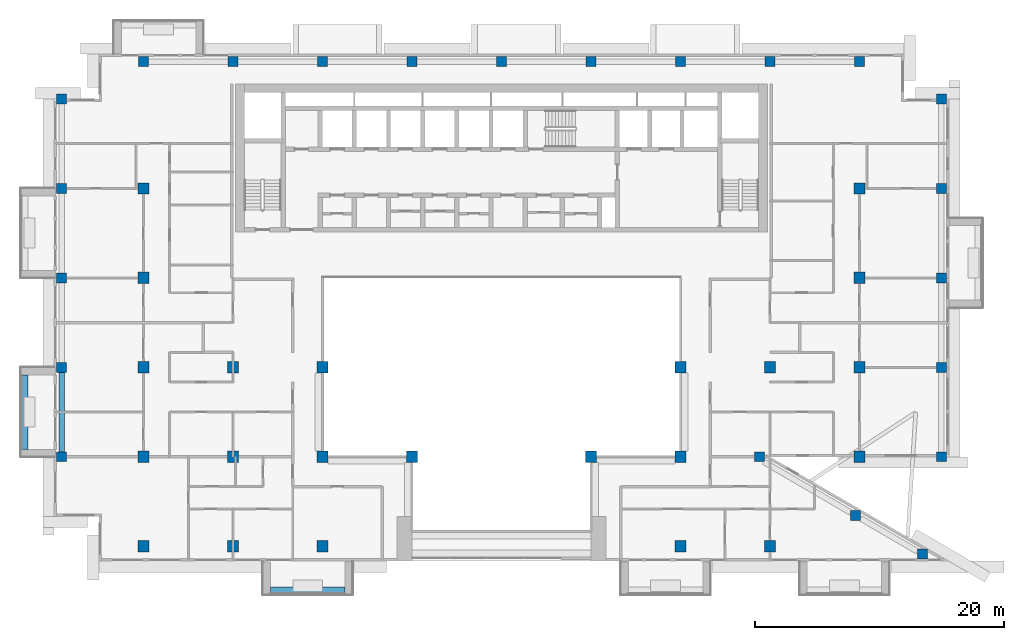
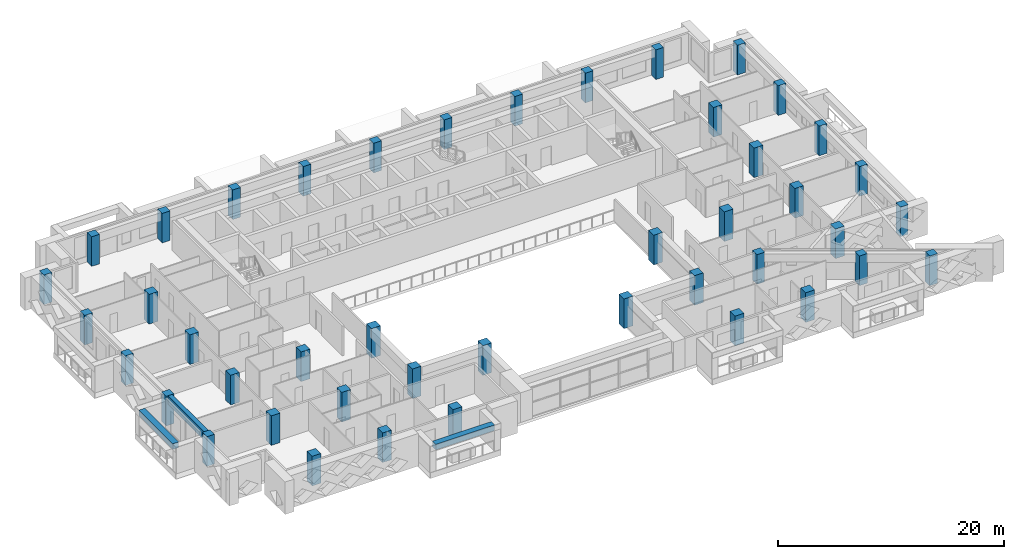
# One storey, part 1 of 20: 44 columns, 3 beams.
"""IFC4 building model written with IfcOpenShell, lengths in metres."""

from ifc_helpers import new_model, si_unit, direction, frame, origin, origin_2d, place, context, subcontext, project, spatial, rectangle, extrude, source, transform, mapped, material, material_profile, profile_set, type_object, element, save


model = new_model("IFC4")

# Units and contexts
model_context = context("Model", 3, precision=1e-05, world=origin(), true_north=direction((0.0, 1.0)))
body_context = subcontext(model_context, "Body", "Model", "MODEL_VIEW")
ifc_project = project(units=[si_unit("LENGTHUNIT", "METRE"), si_unit("AREAUNIT", "SQUARE_METRE"), si_unit("VOLUMEUNIT", "CUBIC_METRE"), si_unit("PLANEANGLEUNIT", "RADIAN"), si_unit("MASSUNIT", "GRAM", prefix="KILO")], contexts=[model_context])

# Site, building, storey
site_placement = place(None, origin())
site = spatial("IfcSite", under=ifc_project, at=site_placement, CompositionType="ELEMENT")
building_placement = place(site_placement, origin())
building = spatial("IfcBuilding", under=site, at=building_placement, Name="Saffron Iwan Residences", CompositionType="ELEMENT")
storey_placement = place(building_placement, frame((0.0, 0.0, 174.5)))
storey = spatial("IfcBuildingStorey", under=building, at=storey_placement, Name="L46", CompositionType="ELEMENT", Elevation=174.5)

# Columns
ifc_material_1 = material(Name="Concrete C50/60", Category="concrete")
ifc_material_profile_1 = material_profile(ifc_material_1, rectangle(XDim=0.89990234375, YDim=0.89990234375, at=origin_2d()), Name="RC 900x900")
ifc_profile_set_1 = profile_set([ifc_material_profile_1], Name="Concrete C50/60")
column_type_1 = type_object("IfcColumnType", Name="COL RC 900x900 C50/60 3200 HIGH", PredefinedType="COLUMN", material=ifc_profile_set_1)
shared_shape_1 = source(origin(), body_context, "Body", "SweptSolid", [
    extrude(rectangle(XDim=0.89990234375, YDim=0.89990234375, at=origin_2d()), origin(), (0.0, 0.0, 1.0), 3.199951171875),
])
for number, where, z_axis, x_axis, name in (
    (1, (21.60009765625, 40.800048828125, 0.0), (0.0, 0.0, 1.0), (1.0, 0.0, 0.0), "Column C049"),
    (2, (28.800048828125, 40.800048828125, 0.0), (0.0, 0.0, 1.0), (1.0, 0.0, 0.0), "Column C051"),
    (3, (36.0, 40.800048828125, 0.0), (0.0, 0.0, 1.0), (1.0, 0.0, 0.0), "Column C052"),
    (4, (64.800048828125, 40.800048828125, 0.0), (0.0, 0.0, 1.0), (1.0, 0.0, 0.0), "Column C055"),
    (5, (72.0, 40.800048828125, 0.0), (0.0, 0.0, 1.0), (1.0, 0.0, 0.0), "Column C056"),
    (6, (21.60009765625, 48.0, 0.0), (0.0, 0.0, 1.0), (1.0, 0.0, 0.0), "Column C063"),
    (7, (28.800048828125, 48.0, 0.0), (0.0, 0.0, 1.0), (1.0, 0.0, 0.0), "Column C064"),
    (8, (36.0, 48.0, 0.0), (0.0, 0.0, 1.0), (1.0, 0.0, 0.0), "Column C065"),
    (9, (43.199951171875, 48.0, 0.0), (0.0, 0.0, 1.0), (1.0, 0.0, 0.0), "Column C066"),
    (10, (57.60009765625, 48.0, 0.0), (0.0, 0.0, 1.0), (1.0, 0.0, 0.0), "Column C068"),
    (11, (64.800048828125, 48.0, 0.0), (0.0, 0.0, 1.0), (1.0, 0.0, 0.0), "Column C069"),
    (12, (79.199951171875, 48.0, 0.0), (0.0, 0.0, 1.0), (1.0, 0.0, 0.0), "Column C072"),
    (13, (21.60009765625, 55.199951171875, 0.0), (0.0, 0.0, 1.0), (1.0, 0.0, 0.0), "Column C079"),
    (14, (28.800048828125, 55.199951171875, 0.0), (0.0, 0.0, 1.0), (1.0, 0.0, 0.0), "Column C080"),
    (15, (36.0, 55.199951171875, 0.0), (0.0, 0.0, 1.0), (1.0, 0.0, 0.0), "Column C081"),
    (16, (64.800048828125, 55.199951171875, 0.0), (0.0, 0.0, 1.0), (1.0, 0.0, 0.0), "Column C082"),
    (17, (72.0, 55.199951171875, 0.0), (0.0, 0.0, 1.0), (1.0, 0.0, 0.0), "Column C083"),
    (18, (79.199951171875, 55.199951171875, 0.0), (0.0, 0.0, 1.0), (1.0, 0.0, 0.0), "Column C084"),
    (19, (21.60009765625, 62.39990234375, 0.0), (0.0, 0.0, 1.0), (1.0, 0.0, 0.0), "Column C091"),
    (20, (79.199951171875, 62.39990234375, 0.0), (0.0, 0.0, 1.0), (1.0, 0.0, 0.0), "Column C092"),
    (21, (21.60009765625, 69.60009765625, 0.0), (0.0, 0.0, 1.0), (1.0, 0.0, 0.0), "Column C099"),
    (22, (79.199951171875, 69.60009765625, 0.0), (0.0, 0.0, 1.0), (1.0, 0.0, 0.0), "Column C100"),
):
    element("IfcColumn", number, at=place(storey_placement, frame(where, z_axis=z_axis, x_axis=x_axis)), inside=storey, type_object=column_type_1, Name=name, PredefinedType="COLUMN", context=body_context, shape_type="MappedRepresentation", body=[
        mapped(shared_shape_1, transform((0.0, 0.0, 0.0))),
    ])
ifc_material_profile_2 = material_profile(ifc_material_1, rectangle(XDim=0.800048828125, YDim=0.800048828125, at=origin_2d()), Name="RC 800x800")
ifc_profile_set_2 = profile_set([ifc_material_profile_2], Name="Concrete C50/60")
column_type_2 = type_object("IfcColumnType", Name="COL RC 800x800 C50/60 3200 HIGH", PredefinedType="COLUMN", material=ifc_profile_set_2)
shared_shape_2 = source(origin(), body_context, "Body", "SweptSolid", [
    extrude(rectangle(XDim=0.800048828125, YDim=0.800048828125, at=origin_2d()), origin(), (0.0, 0.0, 1.0), 3.199951171875),
])
for number, where, z_axis, x_axis, name in (
    (23, (84.276123046875, 40.17431640625, 0.0), (0.0, 0.0, 1.0), (1.0, 0.0, 0.0), "Column C045"),
    (24, (78.897705078125, 43.28173828125, 0.0), (0.0, 0.0, 1.0), (1.0, 0.0, 0.0), "Column C058"),
    (25, (15.0, 48.0, 0.0), (0.0, 0.0, 1.0), (1.0, 0.0, 0.0), "Column C061"),
    (26, (71.14990234375, 48.0, 0.0), (0.0, 0.0, 1.0), (1.0, 0.0, 0.0), "Column C070"),
    (27, (85.800048828125, 48.0, 0.0), (0.0, 0.0, 1.0), (1.0, 0.0, 0.0), "Column C074"),
    (28, (15.0, 55.199951171875, 0.0), (0.0, 0.0, 1.0), (1.0, 0.0, 0.0), "Column C077"),
    (29, (85.800048828125, 55.199951171875, 0.0), (0.0, 0.0, 1.0), (1.0, 0.0, 0.0), "Column C086"),
    (30, (15.0, 62.39990234375, 0.0), (0.0, 0.0, 1.0), (1.0, 0.0, 0.0), "Column C089"),
    (31, (85.800048828125, 62.39990234375, 0.0), (0.0, 0.0, 1.0), (1.0, 0.0, 0.0), "Column C094"),
    (32, (15.0, 69.60009765625, 0.0), (0.0, 0.0, 1.0), (1.0, 0.0, 0.0), "Column C097"),
    (33, (85.800048828125, 69.60009765625, 0.0), (0.0, 0.0, 1.0), (1.0, 0.0, 0.0), "Column C102"),
    (34, (15.0, 76.800048828125, 0.0), (0.0, 0.0, 1.0), (1.0, 0.0, 0.0), "Column C105"),
    (35, (85.800048828125, 76.800048828125, 0.0), (0.0, 0.0, 1.0), (1.0, 0.0, 0.0), "Column C110"),
    (36, (21.60009765625, 79.800048828125, 0.0), (0.0, 0.0, 1.0), (1.0, 0.0, 0.0), "Column C113"),
    (37, (28.800048828125, 79.800048828125, 0.0), (0.0, 0.0, 1.0), (1.0, 0.0, 0.0), "Column C115"),
    (38, (36.0, 79.800048828125, 0.0), (0.0, 0.0, 1.0), (1.0, 0.0, 0.0), "Column C116"),
    (39, (43.199951171875, 79.800048828125, 0.0), (0.0, 0.0, 1.0), (1.0, 0.0, 0.0), "Column C117"),
    (40, (50.39990234375, 79.800048828125, 0.0), (0.0, 0.0, 1.0), (1.0, 0.0, 0.0), "Column C118"),
    (41, (57.60009765625, 79.800048828125, 0.0), (0.0, 0.0, 1.0), (1.0, 0.0, 0.0), "Column C119"),
    (42, (64.800048828125, 79.800048828125, 0.0), (0.0, 0.0, 1.0), (1.0, 0.0, 0.0), "Column C120"),
    (43, (72.0, 79.800048828125, 0.0), (0.0, 0.0, 1.0), (1.0, 0.0, 0.0), "Column C121"),
    (44, (79.199951171875, 79.800048828125, 0.0), (0.0, 0.0, 1.0), (1.0, 0.0, 0.0), "Column C123"),
):
    element("IfcColumn", number, at=place(storey_placement, frame(where, z_axis=z_axis, x_axis=x_axis)), inside=storey, type_object=column_type_2, Name=name, PredefinedType="COLUMN", context=body_context, shape_type="MappedRepresentation", body=[
        mapped(shared_shape_2, transform((0.0, 0.0, 0.0))),
    ])

# Beams
ifc_material_profile_3 = material_profile(ifc_material_1, rectangle(XDim=0.449951171875, YDim=0.89990234375, at=origin_2d()), Name="RC 450x900")
ifc_profile_set_3 = profile_set([ifc_material_profile_3], Name="Concrete C50/60")
beam_type_1 = type_object("IfcBeamType", Name="SPANDREL BEAM RC 450x900 C50/60 TOP 3200", PredefinedType="SPANDREL", material=ifc_profile_set_3)
shared_shape_3 = source(origin(), body_context, "Body", "SweptSolid", [
    extrude(rectangle(XDim=0.449951171875, YDim=0.89990234375, at=origin_2d()), origin(), (0.0, 0.0, 1.0), 6.400146484375),
])
beam_placement = place(storey_placement, frame((15.0, 48.39990234375, 2.75), z_axis=(0.0, 1.0, 0.0), x_axis=(-1.0, 0.0, 0.0)))
element("IfcBeam", 45, at=beam_placement, inside=storey, type_object=beam_type_1, Name="Spandrel beam", PredefinedType="SPANDREL", context=body_context, shape_type="MappedRepresentation", body=[
    mapped(shared_shape_3, transform((0.0, 0.0, 0.0))),
])
ifc_material_2 = material(Name="Concrete C50/60 white painted", Category="concrete")
ifc_material_profile_4 = material_profile(ifc_material_2, rectangle(XDim=0.60009765625, YDim=0.60009765625, at=origin_2d()), Name="BALCONY FASCIA BEAM 600 x 600")
ifc_profile_set_4 = profile_set([ifc_material_profile_4], Name="Concrete C50/60 white painted")
beam_type_2 = type_object("IfcBeamType", Name="BALCONY FASCIA BEAM 600 x 600", PredefinedType="BEAM", material=ifc_profile_set_4)
shared_shape_4 = source(origin(), body_context, "Body", "SweptSolid", [
    extrude(rectangle(XDim=0.60009765625, YDim=0.60009765625, at=origin_2d()), origin(), (0.0, 0.0, 1.0), 6.0),
])
for number, where, z_axis, x_axis, name in (
    (46, (12.0, 54.60009765625, 2.550048828125), (0.0, -1.0, 0.0), (1.0, 0.0, 0.0), "Balcony fascia beam L46 F8-1"),
    (47, (31.800048828125, 37.199951171875, 2.550048828125), (1.0, 0.0, 0.0), (0.0, 1.0, 0.0), "Balcony fascia beam L46 11-0"),
):
    element("IfcBeam", number, at=place(storey_placement, frame(where, z_axis=z_axis, x_axis=x_axis)), inside=storey, type_object=beam_type_2, Name=name, PredefinedType="BEAM", context=body_context, shape_type="MappedRepresentation", body=[
        mapped(shared_shape_4, transform((0.0, 0.0, 0.0))),
    ])

save(model, "model.ifc")
